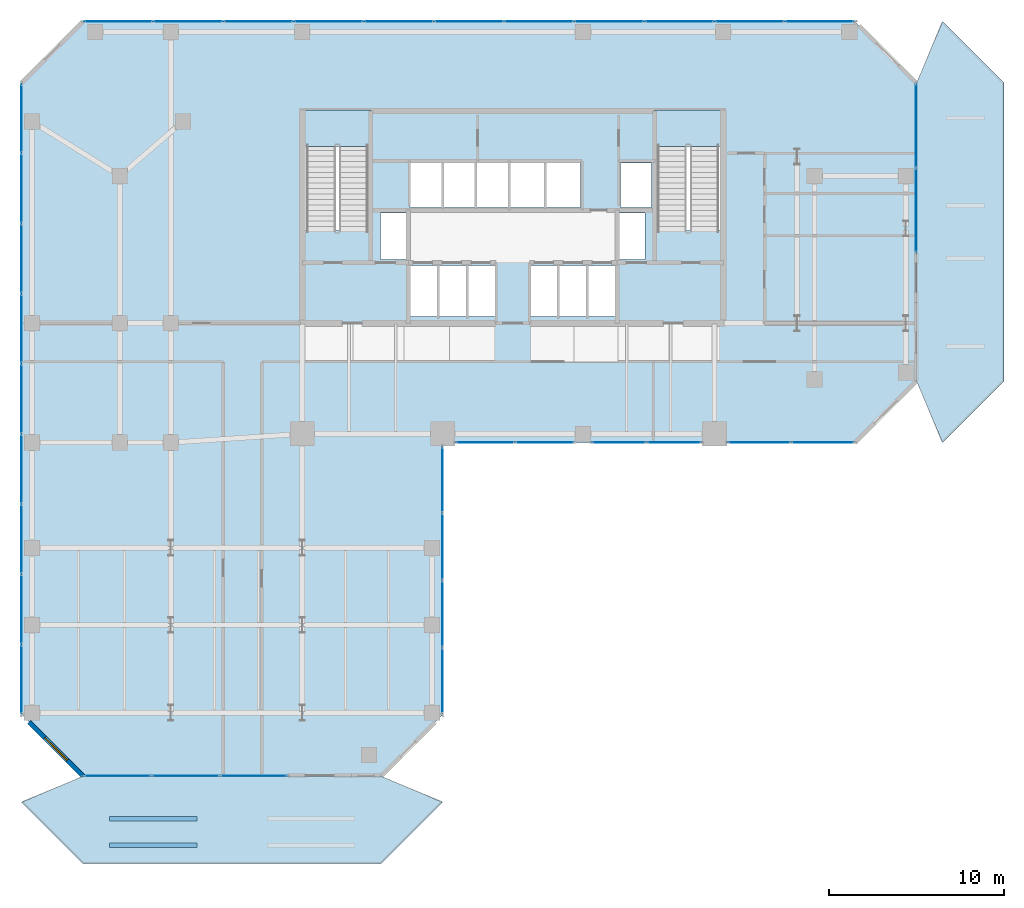
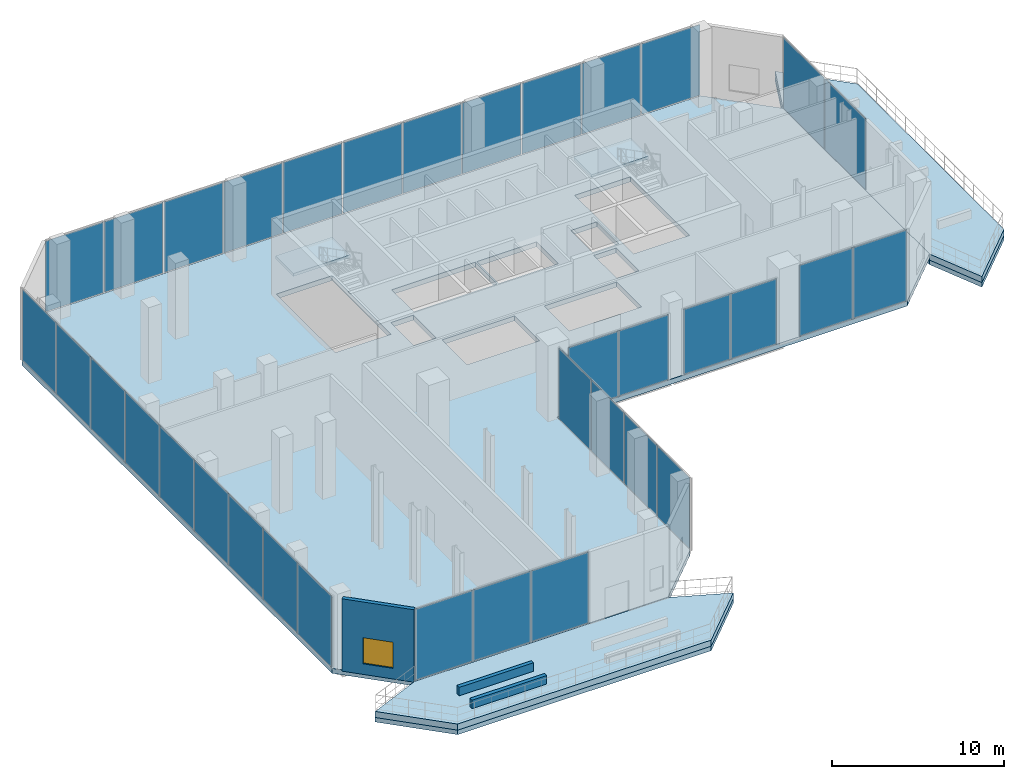
# One storey, part 19 of 24: 35 plates, 7 slabs, 3 walls, 1 window, 1 opening, 10 elements without a shape of their own.
"""IFC4 building model written with IfcOpenShell, lengths in metres."""

from ifc_helpers import new_model, si_unit, direction, frame, frame_2d, origin, origin_2d, place, context, subcontext, project, spatial, polyline, rectangle, outline, extrude, material, layer, layer_set, type_object, element, fill, aggregate, save


model = new_model("IFC4")

# Units and contexts
model_context = context("Model", 3, precision=1e-05, world=origin(), true_north=direction((0.0, 1.0)))
body_context = subcontext(model_context, "Body", "Model", "MODEL_VIEW")
ifc_project = project(units=[si_unit("LENGTHUNIT", "METRE"), si_unit("AREAUNIT", "SQUARE_METRE"), si_unit("VOLUMEUNIT", "CUBIC_METRE"), si_unit("PLANEANGLEUNIT", "RADIAN"), si_unit("MASSUNIT", "GRAM", prefix="KILO")], contexts=[model_context])

# Site, building, storey
site_placement = place(None, origin())
site = spatial("IfcSite", under=ifc_project, at=site_placement, CompositionType="ELEMENT")
building_placement = place(site_placement, origin())
building = spatial("IfcBuilding", under=site, at=building_placement, Name="Catumbela Crestline Tower", CompositionType="ELEMENT")
storey_placement = place(building_placement, frame((0.0, 0.0, 84.6)))
storey = spatial("IfcBuildingStorey", under=building, at=storey_placement, Name="L21", CompositionType="ELEMENT", Elevation=84.6)

# Curtain wall, plates
ifc_material_1 = material(Name="Aluminium alloy AW-6060-T66", Category="aluminium")
ifc_layer_1 = layer(ifc_material_1, 0.18, Name="Aluminium alloy AW-6060-T66")
ifc_layer_set_1 = layer_set([ifc_layer_1], Name="Aluminium alloy AW-6060-T66")
curtain_wall_type = type_object("IfcCurtainWallType", Name="CWU-SKY", PredefinedType="USERDEFINED", material=ifc_layer_set_1)
curtain_wall_1_placement = place(storey_placement, origin())
curtain_wall_1 = element("IfcCurtainWall", 1, at=curtain_wall_1_placement, inside=storey, type_object=curtain_wall_type, Name="L21 Unitised Curtain Wall CW-L21-E0S1", ObjectType="UNITISED", PredefinedType="USERDEFINED")
ifc_material_2 = material(Name="Low-E laminated solar-control double glazing", Category="glass")
ifc_layer_2 = layer(ifc_material_2, 0.036, Name="Low-E laminated solar-control double glazing")
ifc_layer_set_2 = layer_set([ifc_layer_2], Name="Low-E laminated solar-control double glazing")
plate_type = type_object("IfcPlateType", Name="PNL-GLZ-SK", PredefinedType="CURTAIN_PANEL", material=ifc_layer_set_2)
plate_1_placement = place(storey_placement, frame((5.4662, 5.0, 0.06), z_axis=(0.0, 0.0, 1.0), x_axis=(1.0, 0.0, 0.0)))
plate_1 = element("IfcPlate", 2, at=plate_1_placement, type_object=plate_type, Name="CWU-SKY panel 1.1", PredefinedType="CURTAIN_PANEL", context=body_context, shape_type="SweptSolid", body=[
    extrude(rectangle(XDim=3.8025, YDim=0.034, at=origin_2d()), origin(), (0.0, 0.0, 1.0), 5.01),
])
plate_2_placement = place(storey_placement, frame((9.35, 5.0, 0.06), z_axis=(0.0, 0.0, 1.0), x_axis=(1.0, 0.0, 0.0)))
plate_2 = element("IfcPlate", 3, at=plate_2_placement, type_object=plate_type, Name="CWU-SKY panel 2.1", PredefinedType="CURTAIN_PANEL", context=body_context, shape_type="SweptSolid", body=[
    extrude(rectangle(XDim=3.835, YDim=0.034, at=origin_2d()), origin(), (0.0, 0.0, 1.0), 5.01),
])
plate_3_placement = place(storey_placement, frame((13.2338, 5.0, 0.06), z_axis=(0.0, 0.0, 1.0), x_axis=(1.0, 0.0, 0.0)))
plate_3 = element("IfcPlate", 4, at=plate_3_placement, type_object=plate_type, Name="CWU-SKY panel 3.1", PredefinedType="CURTAIN_PANEL", context=body_context, shape_type="SweptSolid", body=[
    extrude(rectangle(XDim=3.8025, YDim=0.034, at=origin_2d()), origin(), (0.0, 0.0, 1.0), 5.01),
])
aggregate(curtain_wall_1, [plate_1, plate_2, plate_3])

curtain_wall_2_placement = place(storey_placement, origin())
curtain_wall_2 = element("IfcCurtainWall", 5, at=curtain_wall_2_placement, inside=storey, type_object=curtain_wall_type, Name="L21 Unitised Curtain Wall CW-L21-E2S1", ObjectType="UNITISED", PredefinedType="USERDEFINED")
plate_4_placement = place(storey_placement, frame((24.0, 10.4288, 0.06), z_axis=(0.0, 0.0, 1.0), x_axis=(0.0, 1.0, 0.0)))
plate_4 = element("IfcPlate", 6, at=plate_4_placement, type_object=plate_type, Name="CWU-SKY panel 1.1", PredefinedType="CURTAIN_PANEL", context=body_context, shape_type="SweptSolid", body=[
    extrude(rectangle(XDim=3.7275, YDim=0.034, at=origin_2d()), origin(), (0.0, 0.0, 1.0), 5.01),
])
plate_5_placement = place(storey_placement, frame((24.0, 14.2375, 0.06), z_axis=(0.0, 0.0, 1.0), x_axis=(0.0, 1.0, 0.0)))
plate_5 = element("IfcPlate", 7, at=plate_5_placement, type_object=plate_type, Name="CWU-SKY panel 2.1", PredefinedType="CURTAIN_PANEL", context=body_context, shape_type="SweptSolid", body=[
    extrude(rectangle(XDim=3.76, YDim=0.034, at=origin_2d()), origin(), (0.0, 0.0, 1.0), 5.01),
])
plate_6_placement = place(storey_placement, frame((24.0, 18.0625, 0.06), z_axis=(0.0, 0.0, 1.0), x_axis=(0.0, 1.0, 0.0)))
plate_6 = element("IfcPlate", 8, at=plate_6_placement, type_object=plate_type, Name="CWU-SKY panel 3.1", PredefinedType="CURTAIN_PANEL", context=body_context, shape_type="SweptSolid", body=[
    extrude(rectangle(XDim=3.76, YDim=0.034, at=origin_2d()), origin(), (0.0, 0.0, 1.0), 5.01),
])
plate_7_placement = place(storey_placement, frame((24.0, 21.8712, 0.06), z_axis=(0.0, 0.0, 1.0), x_axis=(0.0, 1.0, 0.0)))
plate_7 = element("IfcPlate", 9, at=plate_7_placement, type_object=plate_type, Name="CWU-SKY panel 4.1", PredefinedType="CURTAIN_PANEL", context=body_context, shape_type="SweptSolid", body=[
    extrude(rectangle(XDim=3.7275, YDim=0.034, at=origin_2d()), origin(), (0.0, 0.0, 1.0), 5.01),
])
aggregate(curtain_wall_2, [plate_4, plate_5, plate_6, plate_7])

curtain_wall_3_placement = place(storey_placement, origin())
curtain_wall_3 = element("IfcCurtainWall", 10, at=curtain_wall_3_placement, inside=storey, type_object=curtain_wall_type, Name="L21 Unitised Curtain Wall CW-L21-E3S1", ObjectType="UNITISED", PredefinedType="USERDEFINED")
plate_8_placement = place(storey_placement, frame((26.4288, 24.0, 0.06), z_axis=(0.0, 0.0, 1.0), x_axis=(1.0, 0.0, 0.0)))
plate_8 = element("IfcPlate", 11, at=plate_8_placement, type_object=plate_type, Name="CWU-SKY panel 1.1", PredefinedType="CURTAIN_PANEL", context=body_context, shape_type="SweptSolid", body=[
    extrude(rectangle(XDim=3.3275, YDim=0.034, at=origin_2d()), origin(), (0.0, 0.0, 1.0), 4.6),
])
plate_9_placement = place(storey_placement, frame((29.8212, 24.0, 0.06), z_axis=(0.0, 0.0, 1.0), x_axis=(1.0, 0.0, 0.0)))
plate_9 = element("IfcPlate", 12, at=plate_9_placement, type_object=plate_type, Name="CWU-SKY panel 2.1", PredefinedType="CURTAIN_PANEL", context=body_context, shape_type="SweptSolid", body=[
    extrude(rectangle(XDim=3.3275, YDim=0.034, at=origin_2d()), origin(), (0.0, 0.0, 1.0), 4.6),
])
aggregate(curtain_wall_3, [plate_8, plate_9])

curtain_wall_4_placement = place(storey_placement, origin())
curtain_wall_4 = element("IfcCurtainWall", 13, at=curtain_wall_4_placement, inside=storey, type_object=curtain_wall_type, Name="L21 Unitised Curtain Wall CW-L21-E3S2", ObjectType="UNITISED", PredefinedType="USERDEFINED")
plate_10_placement = place(storey_placement, frame((34.0538, 24.0, 0.06), z_axis=(0.0, 0.0, 1.0), x_axis=(1.0, 0.0, 0.0)))
plate_10 = element("IfcPlate", 14, at=plate_10_placement, type_object=plate_type, Name="CWU-SKY panel 1.1", PredefinedType="CURTAIN_PANEL", context=body_context, shape_type="SweptSolid", body=[
    extrude(rectangle(XDim=3.0775, YDim=0.034, at=origin_2d()), origin(), (0.0, 0.0, 1.0), 4.6),
])
plate_11_placement = place(storey_placement, frame((37.1962, 24.0, 0.06), z_axis=(0.0, 0.0, 1.0), x_axis=(1.0, 0.0, 0.0)))
plate_11 = element("IfcPlate", 15, at=plate_11_placement, type_object=plate_type, Name="CWU-SKY panel 2.1", PredefinedType="CURTAIN_PANEL", context=body_context, shape_type="SweptSolid", body=[
    extrude(rectangle(XDim=3.0775, YDim=0.034, at=origin_2d()), origin(), (0.0, 0.0, 1.0), 4.6),
])
aggregate(curtain_wall_4, [plate_10, plate_11])

curtain_wall_5_placement = place(storey_placement, origin())
curtain_wall_5 = element("IfcCurtainWall", 16, at=curtain_wall_5_placement, inside=storey, type_object=curtain_wall_type, Name="L21 Unitised Curtain Wall CW-L21-E3S3", ObjectType="UNITISED", PredefinedType="USERDEFINED")
plate_12_placement = place(storey_placement, frame((42.0412, 24.0, 0.06), z_axis=(0.0, 0.0, 1.0), x_axis=(1.0, 0.0, 0.0)))
plate_12 = element("IfcPlate", 17, at=plate_12_placement, type_object=plate_type, Name="CWU-SKY panel 1.1", PredefinedType="CURTAIN_PANEL", context=body_context, shape_type="SweptSolid", body=[
    extrude(rectangle(XDim=3.5525, YDim=0.034, at=origin_2d()), origin(), (0.0, 0.0, 1.0), 5.01),
])
plate_13_placement = place(storey_placement, frame((45.6588, 24.0, 0.06), z_axis=(0.0, 0.0, 1.0), x_axis=(1.0, 0.0, 0.0)))
plate_13 = element("IfcPlate", 18, at=plate_13_placement, type_object=plate_type, Name="CWU-SKY panel 2.1", PredefinedType="CURTAIN_PANEL", context=body_context, shape_type="SweptSolid", body=[
    extrude(rectangle(XDim=3.5525, YDim=0.034, at=origin_2d()), origin(), (0.0, 0.0, 1.0), 5.01),
])
aggregate(curtain_wall_5, [plate_12, plate_13])

curtain_wall_6_placement = place(storey_placement, origin())
curtain_wall_6 = element("IfcCurtainWall", 19, at=curtain_wall_6_placement, inside=storey, type_object=curtain_wall_type, Name="L21 Unitised Curtain Wall CW-L21-E5S2", ObjectType="UNITISED", PredefinedType="USERDEFINED")
plate_14_placement = place(storey_placement, frame((51.0, 37.2412, 0.06), z_axis=(0.0, 0.0, 1.0), x_axis=(0.0, 1.0, 0.0)))
plate_14 = element("IfcPlate", 20, at=plate_14_placement, type_object=plate_type, Name="CWU-SKY panel 1.1", PredefinedType="CURTAIN_PANEL", context=body_context, shape_type="SweptSolid", body=[
    extrude(rectangle(XDim=4.7525, YDim=0.034, at=origin_2d()), origin(), (0.0, 0.0, 1.0), 5.01),
])
plate_15_placement = place(storey_placement, frame((51.0, 42.0588, 0.06), z_axis=(0.0, 0.0, 1.0), x_axis=(0.0, 1.0, 0.0)))
plate_15 = element("IfcPlate", 21, at=plate_15_placement, type_object=plate_type, Name="CWU-SKY panel 2.1", PredefinedType="CURTAIN_PANEL", context=body_context, shape_type="SweptSolid", body=[
    extrude(rectangle(XDim=4.7525, YDim=0.034, at=origin_2d()), origin(), (0.0, 0.0, 1.0), 5.01),
])
aggregate(curtain_wall_6, [plate_14, plate_15])

curtain_wall_7_placement = place(storey_placement, origin())
curtain_wall_7 = element("IfcCurtainWall", 22, at=curtain_wall_7_placement, inside=storey, type_object=curtain_wall_type, Name="L21 Unitised Curtain Wall CW-L21-E7S1", ObjectType="UNITISED", PredefinedType="USERDEFINED")
plate_16_placement = place(storey_placement, frame((45.4838, 48.0, 0.06), z_axis=(0.0, 0.0, 1.0), x_axis=(-1.0, 0.0, 0.0)))
plate_16 = element("IfcPlate", 23, at=plate_16_placement, type_object=plate_type, Name="CWU-SKY panel 1.1", PredefinedType="CURTAIN_PANEL", context=body_context, shape_type="SweptSolid", body=[
    extrude(rectangle(XDim=3.9025, YDim=0.034, at=origin_2d()), origin(), (0.0, 0.0, 1.0), 5.01),
])
plate_17_placement = place(storey_placement, frame((41.5, 48.0, 0.06), z_axis=(0.0, 0.0, 1.0), x_axis=(-1.0, 0.0, 0.0)))
plate_17 = element("IfcPlate", 24, at=plate_17_placement, type_object=plate_type, Name="CWU-SKY panel 2.1", PredefinedType="CURTAIN_PANEL", context=body_context, shape_type="SweptSolid", body=[
    extrude(rectangle(XDim=3.935, YDim=0.034, at=origin_2d()), origin(), (0.0, 0.0, 1.0), 5.01),
])
plate_18_placement = place(storey_placement, frame((37.5, 48.0, 0.06), z_axis=(0.0, 0.0, 1.0), x_axis=(-1.0, 0.0, 0.0)))
plate_18 = element("IfcPlate", 25, at=plate_18_placement, type_object=plate_type, Name="CWU-SKY panel 3.1", PredefinedType="CURTAIN_PANEL", context=body_context, shape_type="SweptSolid", body=[
    extrude(rectangle(XDim=3.935, YDim=0.034, at=origin_2d()), origin(), (0.0, 0.0, 1.0), 5.01),
])
plate_19_placement = place(storey_placement, frame((33.5, 48.0, 0.06), z_axis=(0.0, 0.0, 1.0), x_axis=(-1.0, 0.0, 0.0)))
plate_19 = element("IfcPlate", 26, at=plate_19_placement, type_object=plate_type, Name="CWU-SKY panel 4.1", PredefinedType="CURTAIN_PANEL", context=body_context, shape_type="SweptSolid", body=[
    extrude(rectangle(XDim=3.935, YDim=0.034, at=origin_2d()), origin(), (0.0, 0.0, 1.0), 5.01),
])
plate_20_placement = place(storey_placement, frame((29.5, 48.0, 0.06), z_axis=(0.0, 0.0, 1.0), x_axis=(-1.0, 0.0, 0.0)))
plate_20 = element("IfcPlate", 27, at=plate_20_placement, type_object=plate_type, Name="CWU-SKY panel 5.1", PredefinedType="CURTAIN_PANEL", context=body_context, shape_type="SweptSolid", body=[
    extrude(rectangle(XDim=3.935, YDim=0.034, at=origin_2d()), origin(), (0.0, 0.0, 1.0), 5.01),
])
plate_21_placement = place(storey_placement, frame((25.5, 48.0, 0.06), z_axis=(0.0, 0.0, 1.0), x_axis=(-1.0, 0.0, 0.0)))
plate_21 = element("IfcPlate", 28, at=plate_21_placement, type_object=plate_type, Name="CWU-SKY panel 6.1", PredefinedType="CURTAIN_PANEL", context=body_context, shape_type="SweptSolid", body=[
    extrude(rectangle(XDim=3.935, YDim=0.034, at=origin_2d()), origin(), (0.0, 0.0, 1.0), 5.01),
])
plate_22_placement = place(storey_placement, frame((21.5, 48.0, 0.06), z_axis=(0.0, 0.0, 1.0), x_axis=(-1.0, 0.0, 0.0)))
plate_22 = element("IfcPlate", 29, at=plate_22_placement, type_object=plate_type, Name="CWU-SKY panel 7.1", PredefinedType="CURTAIN_PANEL", context=body_context, shape_type="SweptSolid", body=[
    extrude(rectangle(XDim=3.935, YDim=0.034, at=origin_2d()), origin(), (0.0, 0.0, 1.0), 5.01),
])
plate_23_placement = place(storey_placement, frame((17.5, 48.0, 0.06), z_axis=(0.0, 0.0, 1.0), x_axis=(-1.0, 0.0, 0.0)))
plate_23 = element("IfcPlate", 30, at=plate_23_placement, type_object=plate_type, Name="CWU-SKY panel 8.1", PredefinedType="CURTAIN_PANEL", context=body_context, shape_type="SweptSolid", body=[
    extrude(rectangle(XDim=3.935, YDim=0.034, at=origin_2d()), origin(), (0.0, 0.0, 1.0), 5.01),
])
plate_24_placement = place(storey_placement, frame((13.5, 48.0, 0.06), z_axis=(0.0, 0.0, 1.0), x_axis=(-1.0, 0.0, 0.0)))
plate_24 = element("IfcPlate", 31, at=plate_24_placement, type_object=plate_type, Name="CWU-SKY panel 9.1", PredefinedType="CURTAIN_PANEL", context=body_context, shape_type="SweptSolid", body=[
    extrude(rectangle(XDim=3.935, YDim=0.034, at=origin_2d()), origin(), (0.0, 0.0, 1.0), 5.01),
])
plate_25_placement = place(storey_placement, frame((9.5, 48.0, 0.06), z_axis=(0.0, 0.0, 1.0), x_axis=(-1.0, 0.0, 0.0)))
plate_25 = element("IfcPlate", 32, at=plate_25_placement, type_object=plate_type, Name="CWU-SKY panel 10.1", PredefinedType="CURTAIN_PANEL", context=body_context, shape_type="SweptSolid", body=[
    extrude(rectangle(XDim=3.935, YDim=0.034, at=origin_2d()), origin(), (0.0, 0.0, 1.0), 5.01),
])
plate_26_placement = place(storey_placement, frame((5.5162, 48.0, 0.06), z_axis=(0.0, 0.0, 1.0), x_axis=(-1.0, 0.0, 0.0)))
plate_26 = element("IfcPlate", 33, at=plate_26_placement, type_object=plate_type, Name="CWU-SKY panel 11.1", PredefinedType="CURTAIN_PANEL", context=body_context, shape_type="SweptSolid", body=[
    extrude(rectangle(XDim=3.9025, YDim=0.034, at=origin_2d()), origin(), (0.0, 0.0, 1.0), 5.01),
])
aggregate(curtain_wall_7, [plate_16, plate_17, plate_18, plate_19, plate_20, plate_21, plate_22, plate_23, plate_24, plate_25, plate_26])

curtain_wall_8_placement = place(storey_placement, origin())
curtain_wall_8 = element("IfcCurtainWall", 34, at=curtain_wall_8_placement, inside=storey, type_object=curtain_wall_type, Name="L21 Unitised Curtain Wall CW-L21-E9S1", ObjectType="UNITISED", PredefinedType="USERDEFINED")
plate_27_placement = place(storey_placement, frame((0.0, 42.4838, 0.06), z_axis=(0.0, 0.0, 1.0), x_axis=(0.0, -1.0, 0.0)))
plate_27 = element("IfcPlate", 35, at=plate_27_placement, type_object=plate_type, Name="CWU-SKY panel 1.1", PredefinedType="CURTAIN_PANEL", context=body_context, shape_type="SweptSolid", body=[
    extrude(rectangle(XDim=3.9025, YDim=0.034, at=origin_2d()), origin(), (0.0, 0.0, 1.0), 5.01),
])
plate_28_placement = place(storey_placement, frame((0.0, 38.5, 0.06), z_axis=(0.0, 0.0, 1.0), x_axis=(0.0, -1.0, 0.0)))
plate_28 = element("IfcPlate", 36, at=plate_28_placement, type_object=plate_type, Name="CWU-SKY panel 2.1", PredefinedType="CURTAIN_PANEL", context=body_context, shape_type="SweptSolid", body=[
    extrude(rectangle(XDim=3.935, YDim=0.034, at=origin_2d()), origin(), (0.0, 0.0, 1.0), 5.01),
])
plate_29_placement = place(storey_placement, frame((0.0, 34.5, 0.06), z_axis=(0.0, 0.0, 1.0), x_axis=(0.0, -1.0, 0.0)))
plate_29 = element("IfcPlate", 37, at=plate_29_placement, type_object=plate_type, Name="CWU-SKY panel 3.1", PredefinedType="CURTAIN_PANEL", context=body_context, shape_type="SweptSolid", body=[
    extrude(rectangle(XDim=3.935, YDim=0.034, at=origin_2d()), origin(), (0.0, 0.0, 1.0), 5.01),
])
plate_30_placement = place(storey_placement, frame((0.0, 30.5, 0.06), z_axis=(0.0, 0.0, 1.0), x_axis=(0.0, -1.0, 0.0)))
plate_30 = element("IfcPlate", 38, at=plate_30_placement, type_object=plate_type, Name="CWU-SKY panel 4.1", PredefinedType="CURTAIN_PANEL", context=body_context, shape_type="SweptSolid", body=[
    extrude(rectangle(XDim=3.935, YDim=0.034, at=origin_2d()), origin(), (0.0, 0.0, 1.0), 5.01),
])
plate_31_placement = place(storey_placement, frame((0.0, 26.5, 0.06), z_axis=(0.0, 0.0, 1.0), x_axis=(0.0, -1.0, 0.0)))
plate_31 = element("IfcPlate", 39, at=plate_31_placement, type_object=plate_type, Name="CWU-SKY panel 5.1", PredefinedType="CURTAIN_PANEL", context=body_context, shape_type="SweptSolid", body=[
    extrude(rectangle(XDim=3.935, YDim=0.034, at=origin_2d()), origin(), (0.0, 0.0, 1.0), 5.01),
])
plate_32_placement = place(storey_placement, frame((0.0, 22.5, 0.06), z_axis=(0.0, 0.0, 1.0), x_axis=(0.0, -1.0, 0.0)))
plate_32 = element("IfcPlate", 40, at=plate_32_placement, type_object=plate_type, Name="CWU-SKY panel 6.1", PredefinedType="CURTAIN_PANEL", context=body_context, shape_type="SweptSolid", body=[
    extrude(rectangle(XDim=3.935, YDim=0.034, at=origin_2d()), origin(), (0.0, 0.0, 1.0), 5.01),
])
plate_33_placement = place(storey_placement, frame((0.0, 18.5, 0.06), z_axis=(0.0, 0.0, 1.0), x_axis=(0.0, -1.0, 0.0)))
plate_33 = element("IfcPlate", 41, at=plate_33_placement, type_object=plate_type, Name="CWU-SKY panel 7.1", PredefinedType="CURTAIN_PANEL", context=body_context, shape_type="SweptSolid", body=[
    extrude(rectangle(XDim=3.935, YDim=0.034, at=origin_2d()), origin(), (0.0, 0.0, 1.0), 5.01),
])
plate_34_placement = place(storey_placement, frame((0.0, 14.5, 0.06), z_axis=(0.0, 0.0, 1.0), x_axis=(0.0, -1.0, 0.0)))
plate_34 = element("IfcPlate", 42, at=plate_34_placement, type_object=plate_type, Name="CWU-SKY panel 8.1", PredefinedType="CURTAIN_PANEL", context=body_context, shape_type="SweptSolid", body=[
    extrude(rectangle(XDim=3.935, YDim=0.034, at=origin_2d()), origin(), (0.0, 0.0, 1.0), 5.01),
])
plate_35_placement = place(storey_placement, frame((0.0, 10.5162, 0.06), z_axis=(0.0, 0.0, 1.0), x_axis=(0.0, -1.0, 0.0)))
plate_35 = element("IfcPlate", 43, at=plate_35_placement, type_object=plate_type, Name="CWU-SKY panel 9.1", PredefinedType="CURTAIN_PANEL", context=body_context, shape_type="SweptSolid", body=[
    extrude(rectangle(XDim=3.9025, YDim=0.034, at=origin_2d()), origin(), (0.0, 0.0, 1.0), 5.01),
])
aggregate(curtain_wall_8, [plate_27, plate_28, plate_29, plate_30, plate_31, plate_32, plate_33, plate_34, plate_35])

# Stair, slab
ifc_material_3 = material(Name="Concrete C45/55", Category="concrete")
stair_type = type_object("IfcStairType", Name="ST-DLG", PredefinedType="HALF_TURN_STAIR", material=ifc_material_3)
stair_1_placement = place(storey_placement, origin())
stair_1 = element("IfcStair", 44, at=stair_1_placement, inside=storey, type_object=stair_type, Name="L21 West Core Pressurised Exit Stair ST-01", PredefinedType="HALF_TURN_STAIR")
ifc_layer_3 = layer(ifc_material_3, 0.2, Name="Concrete C45/55")
ifc_layer_set_3 = layer_set([ifc_layer_3], Name="Concrete C45/55")
slab_type_1 = type_object("IfcSlabType", Name="SL-LND", PredefinedType="LANDING", material=ifc_layer_set_3)
slab_1_placement = place(storey_placement, frame((0.0, 0.0, 2.5)))
slab_1 = element("IfcSlab", 45, at=slab_1_placement, type_object=slab_type_1, Name="ST-01 landing 1", PredefinedType="LANDING", context=body_context, shape_type="SweptSolid", body=[
    extrude(outline(polyline([(19.91, 40.88), (19.91, 42.96), (16.09, 42.96), (16.09, 40.88), (19.91, 40.88)])), origin(), (0.0, 0.0, 1.0), 0.2),
])
aggregate(stair_1, [slab_1])

stair_2_placement = place(storey_placement, origin())
stair_2 = element("IfcStair", 46, at=stair_2_placement, inside=storey, type_object=stair_type, Name="L21 East Core Pressurised Exit Stair ST-02", PredefinedType="HALF_TURN_STAIR")
slab_2_placement = place(storey_placement, frame((0.0, 0.0, 2.5)))
slab_2 = element("IfcSlab", 47, at=slab_2_placement, type_object=slab_type_1, Name="ST-02 landing 1", PredefinedType="LANDING", context=body_context, shape_type="SweptSolid", body=[
    extrude(outline(polyline([(39.91, 40.88), (39.91, 42.96), (36.09, 42.96), (36.09, 40.88), (39.91, 40.88)])), origin(), (0.0, 0.0, 1.0), 0.2),
])
aggregate(stair_2, [slab_2])

# Slabs
ifc_material_4 = material(Name="Concrete C50/60", Category="concrete")
ifc_layer_4 = layer(ifc_material_4, 0.35, Name="Concrete C50/60")
ifc_layer_set_4 = layer_set([ifc_layer_4], Name="Concrete C50/60")
slab_type_2 = type_object("IfcSlabType", Name="SL-350M", PredefinedType="FLOOR", material=ifc_layer_set_4)
slab_3_placement = place(storey_placement, frame((0.0, 0.0, -0.35)))
element("IfcSlab", 48, at=slab_3_placement, inside=storey, type_object=slab_type_2, Name="L21 Structural Floor Slab", PredefinedType="FLOOR", context=body_context, shape_type="SweptSolid", body=[
    extrude(outline(polyline([(3.5, 5.0), (20.5, 5.0), (24.0, 8.5), (24.0, 24.0), (47.5, 24.0), (51.0, 27.5), (51.0, 44.5), (47.5, 48.0), (3.5, 48.0), (0.0, 44.5), (0.0, 8.5), (3.5, 5.0)]), holes=[polyline([(16.13, 36.08), (19.87, 36.08), (19.87, 42.92), (16.13, 42.92), (16.13, 36.08)]), polyline([(36.13, 36.08), (39.87, 36.08), (39.87, 42.92), (36.13, 42.92), (36.13, 36.08)]), polyline([(22.15, 31.2), (27.0, 31.2), (27.0, 34.1), (22.15, 34.1), (22.15, 31.2)]), polyline([(29.0, 31.2), (33.85, 31.2), (33.85, 34.1), (29.0, 34.1), (29.0, 31.2)]), polyline([(22.15, 37.4), (27.75, 37.4), (27.75, 39.95), (22.15, 39.95), (22.15, 37.4)]), polyline([(27.85, 37.4), (31.85, 37.4), (31.85, 39.95), (27.85, 39.95), (27.85, 37.4)]), polyline([(20.45, 34.45), (21.95, 34.45), (21.95, 37.1), (20.45, 37.1), (20.45, 34.45)]), polyline([(34.05, 34.45), (35.55, 34.45), (35.55, 37.1), (34.05, 37.1), (34.05, 34.45)]), polyline([(34.15, 37.4), (35.9, 37.4), (35.9, 39.95), (34.15, 39.95), (34.15, 37.4)])]), origin(), (0.0, 0.0, 1.0), 0.35),
])
ifc_layer_5 = layer(ifc_material_4, 0.32, Name="Concrete C50/60")
ifc_layer_set_5 = layer_set([ifc_layer_5], Name="Concrete C50/60")
slab_type_3 = type_object("IfcSlabType", Name="ST-320G", PredefinedType="ROOF", material=ifc_layer_set_5)
slab_4_placement = place(storey_placement, frame((0.0, 0.0, -0.77)))
element("IfcSlab", 49, at=slab_4_placement, inside=storey, type_object=slab_type_3, Name="L21 Planted Sky Garden Terrace Slab TER-L21-E", PredefinedType="ROOF", context=body_context, shape_type="SweptSolid", body=[
    extrude(outline(polyline([(51.01, 27.5), (52.5, 24.0), (56.0, 27.5), (56.0, 44.5), (52.5, 48.0), (51.01, 44.5), (51.01, 27.5)])), origin(), (0.0, 0.0, 1.0), 0.32),
])
slab_5_placement = place(storey_placement, frame((0.0, 0.0, -0.77)))
element("IfcSlab", 50, at=slab_5_placement, inside=storey, type_object=slab_type_3, Name="L21 Planted Sky Garden Terrace Slab TER-L21-S", PredefinedType="ROOF", context=body_context, shape_type="SweptSolid", body=[
    extrude(outline(polyline([(0.0, 3.5), (3.5, 0.0), (20.5, 0.0), (24.0, 3.5), (20.5, 4.99), (3.5, 4.99), (0.0, 3.5)])), origin(), (0.0, 0.0, 1.0), 0.32),
])
ifc_material_5 = material(Name="Angolan grey-ochre granite", Category="masonry")
ifc_layer_6 = layer(ifc_material_5, 0.43, Name="Angolan grey-ochre granite")
ifc_layer_set_6 = layer_set([ifc_layer_6], Name="Angolan grey-ochre granite")
slab_type_4 = type_object("IfcSlabType", Name="STD-430", PredefinedType="USERDEFINED", material=ifc_layer_set_6)
slab_6_placement = place(storey_placement, frame((0.0, 0.0, -0.45)))
element("IfcSlab", 51, at=slab_6_placement, inside=storey, type_object=slab_type_4, Name="L21 Permeable Granite Sky-Garden Terrace Deck TER-L21-E", ObjectType="TERRACE", PredefinedType="USERDEFINED", context=body_context, shape_type="SweptSolid", body=[
    extrude(outline(polyline([(51.01, 27.5), (52.5, 24.0), (56.0, 27.5), (56.0, 44.5), (52.5, 48.0), (51.01, 44.5), (51.01, 27.5)])), origin(), (0.0, 0.0, 1.0), 0.43),
])
slab_7_placement = place(storey_placement, frame((0.0, 0.0, -0.45)))
element("IfcSlab", 52, at=slab_7_placement, inside=storey, type_object=slab_type_4, Name="L21 Permeable Granite Sky-Garden Terrace Deck TER-L21-S", ObjectType="TERRACE", PredefinedType="USERDEFINED", context=body_context, shape_type="SweptSolid", body=[
    extrude(outline(polyline([(0.0, 3.5), (3.5, 0.0), (20.5, 0.0), (24.0, 3.5), (20.5, 4.99), (3.5, 4.99), (0.0, 3.5)])), origin(), (0.0, 0.0, 1.0), 0.43),
])

# Wall, opening, window
ifc_layer_7 = layer(ifc_material_5, 0.25, Name="Angolan grey-ochre granite")
ifc_layer_set_7 = layer_set([ifc_layer_7], Name="Angolan grey-ochre granite")
wall_type_1 = type_object("IfcWallType", Name="WE-250", PredefinedType="STANDARD", material=ifc_layer_set_7)
wall_placement = place(storey_placement, frame((0.4384, 8.0616, 0.0), z_axis=(0.0, 0.0, 1.0), x_axis=(0.707106781187, -0.707106781187, 0.0)))
wall = element("IfcWall", 53, at=wall_placement, inside=storey, type_object=wall_type_1, Name="L21 Granite Punched Window Wall 10-2", PredefinedType="STANDARD", context=body_context, shape_type="SweptSolid", body=[
    extrude(rectangle(XDim=4.3298, YDim=0.25, at=frame_2d((2.1649, 0.0))), origin(), (0.0, 0.0, 1.0), 5.13),
])
opening_placement = place(wall_placement, frame((1.2649, 0.0, 0.75)))
opening = element("IfcOpeningElement", 54, at=opening_placement, cuts=wall, Name="Opening WN-01", PredefinedType="OPENING", context=body_context, shape_type="SweptSolid", body=[
    extrude(rectangle(XDim=1.8, YDim=1.85, at=frame_2d((0.9, 0.925))), frame((0.0, 0.135, 0.0), z_axis=(0.0, -1.0, 0.0), x_axis=(1.0, 0.0, 0.0)), (0.0, 0.0, 1.0), 0.27),
])
window_type = type_object("IfcWindowType", Name="WF-1800", PartitioningType="SINGLE_PANEL", PredefinedType="WINDOW", material=ifc_material_2)
window_placement = place(opening_placement, origin())
window = element("IfcWindow", 55, at=window_placement, inside=storey, type_object=window_type, Name="L21 Facade Vision Window 129", OverallHeight=1.85, OverallWidth=1.8, PartitioningType="SINGLE_PANEL", PredefinedType="WINDOW", context=body_context, shape_type="SweptSolid", body=[
    extrude(rectangle(XDim=1.8, YDim=1.85, at=frame_2d((0.9, 0.925))), frame((0.0, 0.03, 0.0), z_axis=(0.0, -1.0, 0.0), x_axis=(1.0, 0.0, 0.0)), (0.0, 0.0, 1.0), 0.06),
])
fill(opening, window)

# Walls
ifc_material_6 = material(Name="Concrete C40/50", Category="concrete")
ifc_layer_8 = layer(ifc_material_6, 0.25, Name="Concrete C40/50")
ifc_layer_set_8 = layer_set([ifc_layer_8], Name="Concrete C40/50")
wall_type_2 = type_object("IfcWallType", Name="WPL-250", PredefinedType="USERDEFINED", material=ifc_layer_set_8)
for number, where, z_axis, x_axis, name in (
    (56, (5.0, 1.05, -0.02), (0.0, 0.0, 1.0), (1.0, 0.0, 0.0), "L21 Planted Sky-Garden GRC Planter Kerb 9"),
    (57, (5.0, 2.55, -0.02), (0.0, 0.0, 1.0), (1.0, 0.0, 0.0), "L21 Planted Sky-Garden GRC Planter Kerb 10"),
):
    element("IfcWall", number, at=place(storey_placement, frame(where, z_axis=z_axis, x_axis=x_axis)), inside=storey, type_object=wall_type_2, Name=name, ObjectType="PLANTER", PredefinedType="USERDEFINED", context=body_context, shape_type="SweptSolid", body=[
        extrude(rectangle(XDim=5.0, YDim=0.25, at=frame_2d((2.5, 0.0))), origin(), (0.0, 0.0, 1.0), 0.6),
    ])

save(model, "model.ifc")
